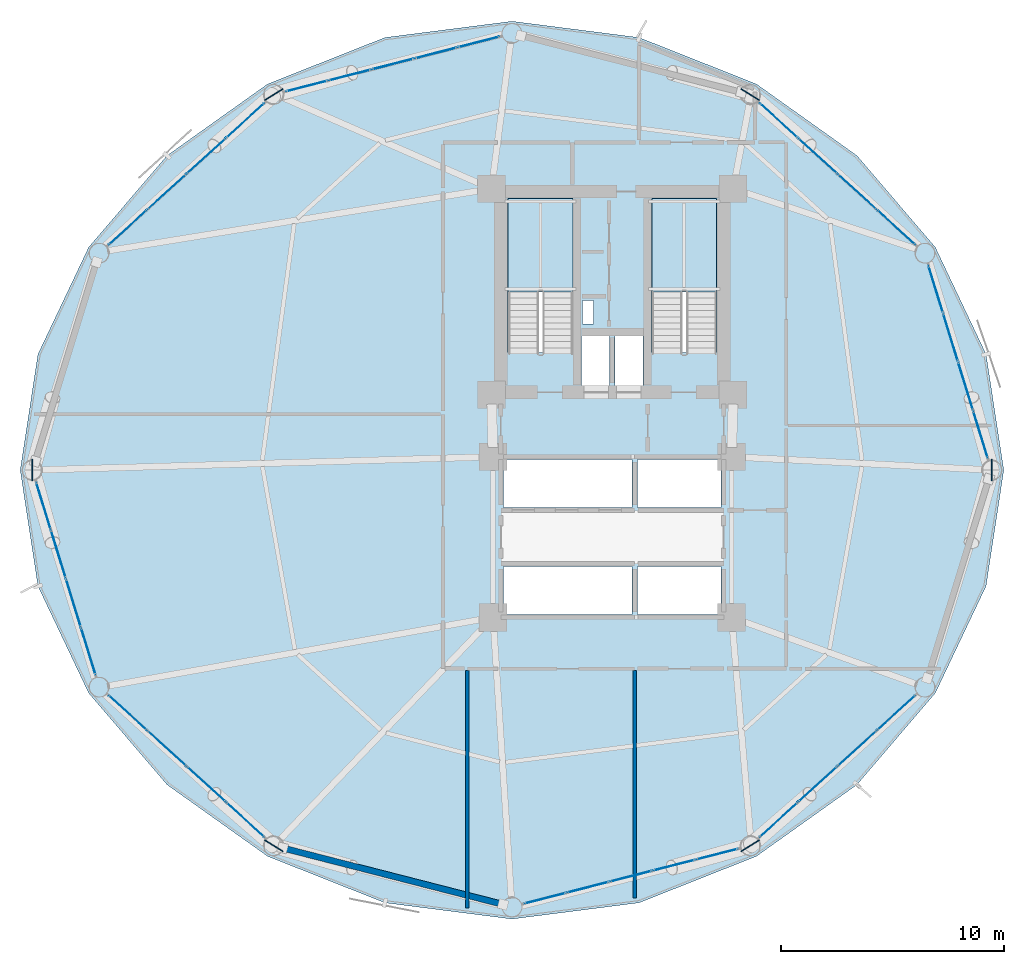
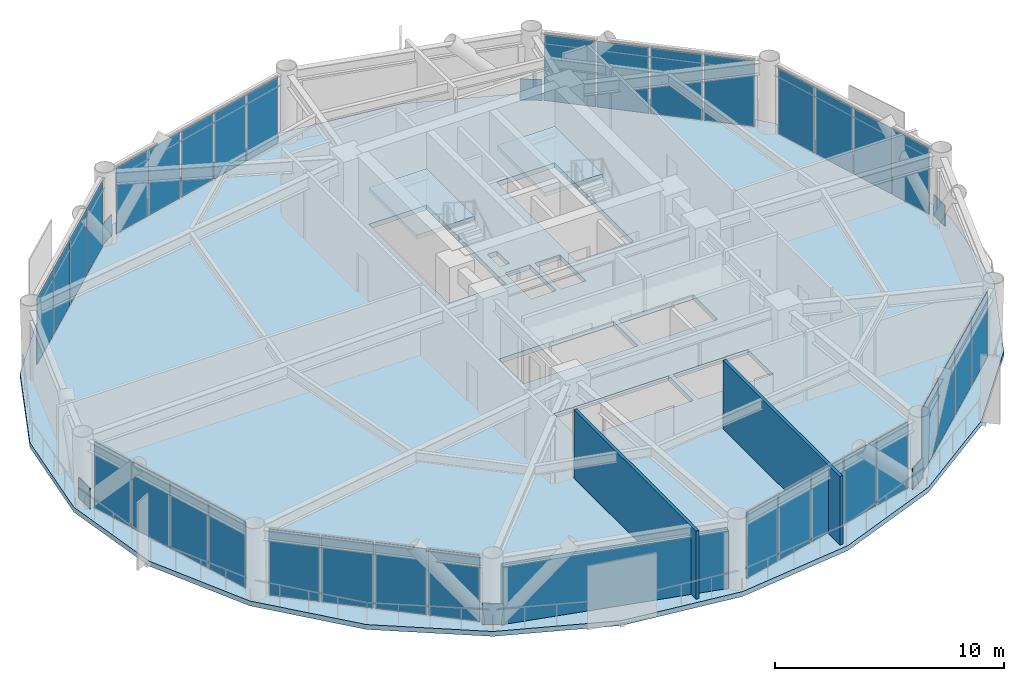
# One storey, part 19 of 25: 40 plates, 3 slabs, 3 walls, 10 elements without a shape of their own.
"""IFC4 building model written with IfcOpenShell, lengths in metres."""

from ifc_helpers import new_model, si_unit, direction, frame, frame_2d, origin, origin_2d, place, context, subcontext, project, spatial, polyline, rectangle, outline, extrude, source, transform, mapped, material, layer, layer_set, type_object, type_shapes, element, aggregate, save


model = new_model("IFC4")

# Units and contexts
model_context = context("Model", 3, precision=1e-05, world=origin(), true_north=direction((0.0, 1.0)))
body_context = subcontext(model_context, "Body", "Model", "MODEL_VIEW")
ifc_project = project(units=[si_unit("LENGTHUNIT", "METRE"), si_unit("AREAUNIT", "SQUARE_METRE"), si_unit("VOLUMEUNIT", "CUBIC_METRE"), si_unit("PLANEANGLEUNIT", "RADIAN"), si_unit("MASSUNIT", "GRAM", prefix="KILO")], contexts=[model_context])

# Site, building, storey
site_placement = place(None, origin())
site = spatial("IfcSite", under=ifc_project, at=site_placement, CompositionType="ELEMENT")
building_placement = place(site_placement, origin())
building = spatial("IfcBuilding", under=site, at=building_placement, Name="Varnakorn Sky Granary", CompositionType="ELEMENT")
storey_placement = place(building_placement, frame((0.0, 0.0, 62.699951171875)))
storey = spatial("IfcBuildingStorey", under=building, at=storey_placement, Name="L15", CompositionType="ELEMENT", Elevation=62.699951171875)

# Plates
ifc_material_1 = material(Name="Steel S460M", Category="steel")
ifc_layer_1 = layer(ifc_material_1, 0.044921875, Name="Steel S460M")
ifc_layer_set_1 = layer_set([ifc_layer_1], Name="Steel S460M")
plate_type_1 = type_object("IfcPlateType", Name="PL-NODE-KN1", PredefinedType="SHEET", material=ifc_layer_set_1)
for number, where, z_axis, x_axis, name in (
    (1, (20.006103515625, 0.0, 0.0), (0.0, 0.0, 1.0), (0.0, 1.0, 0.0), "Diagrid Node Gusset Assembly KN1 L15-1"),
    (2, (9.185546875, 16.842529296875, 0.0), (0.0, 0.0, 1.0), (-0.844397676416, 0.535716869309, 0.0), "Diagrid Node Gusset Assembly KN1 L15-3"),
    (3, (-12.185546875, 16.842529296875, 0.0), (0.0, 0.0, 1.0), (-0.844397676416, -0.535716869309, 0.0), "Diagrid Node Gusset Assembly KN1 L15-5"),
    (4, (-23.006103515625, 0.0, 0.0), (0.0, 0.0, 1.0), (0.0, -1.0, 0.0), "Diagrid Node Gusset Assembly KN1 L15-7"),
    (5, (-12.185546875, -16.842529296875, 0.0), (0.0, 0.0, 1.0), (0.844397676416, -0.535716869309, 0.0), "Diagrid Node Gusset Assembly KN1 L15-9"),
    (6, (9.185546875, -16.842529296875, 0.0), (0.0, 0.0, 1.0), (0.844397676416, 0.535716869309, 0.0), "Diagrid Node Gusset Assembly KN1 L15-11"),
):
    element("IfcPlate", number, at=place(storey_placement, frame(where, z_axis=z_axis, x_axis=x_axis)), inside=storey, type_object=plate_type_1, Name=name, PredefinedType="SHEET", context=body_context, shape_type="SweptSolid", body=[
        extrude(rectangle(XDim=0.9599609375, YDim=0.044921875, at=origin_2d()), origin(), (0.0, 0.0, 1.0), 1.10009765625),
    ])

# Stair, slab
ifc_material_2 = material(Name="Concrete C40/50", Category="concrete")
stair_type = type_object("IfcStairType", Name="ST-MAIN-ASSEMBLY", PredefinedType="HALF_TURN_STAIR", material=ifc_material_2)
stair_1_placement = place(storey_placement, origin())
stair_1 = element("IfcStair", 7, at=stair_1_placement, inside=storey, type_object=stair_type, Name="L15 Protected Exit Stair ST-1", PredefinedType="HALF_TURN_STAIR")
ifc_layer_2 = layer(ifc_material_2, 0.199951171875, Name="Concrete C40/50")
ifc_layer_set_2 = layer_set([ifc_layer_2], Name="Concrete C40/50")
slab_type_1 = type_object("IfcSlabType", Name="ST-MAIN-LAND", PredefinedType="LANDING", material=ifc_layer_set_2)
slab_1_placement = place(storey_placement, frame((0.0, 0.0, 1.75)))
slab_1 = element("IfcSlab", 8, at=slab_1_placement, type_object=slab_type_1, Name="ST-1 landing 1", PredefinedType="LANDING", context=body_context, shape_type="SweptSolid", body=[
    extrude(outline(polyline([(1.239990234375, 8.0), (1.239990234375, 12.179931640625), (-1.669921875, 12.179931640625), (-1.669921875, 8.0), (1.239990234375, 8.0)])), origin(), (0.0, 0.0, 1.0), 0.199951171875),
])
aggregate(stair_1, [slab_1])

stair_2_placement = place(storey_placement, origin())
stair_2 = element("IfcStair", 9, at=stair_2_placement, inside=storey, type_object=stair_type, Name="L15 Protected Exit Stair ST-2", PredefinedType="HALF_TURN_STAIR")
slab_2_placement = place(storey_placement, frame((0.0, 0.0, 1.75)))
slab_2 = element("IfcSlab", 10, at=slab_2_placement, type_object=slab_type_1, Name="ST-2 landing 1", PredefinedType="LANDING", context=body_context, shape_type="SweptSolid", body=[
    extrude(outline(polyline([(7.679931640625, 8.0), (7.679931640625, 12.179931640625), (4.77001953125, 12.179931640625), (4.77001953125, 8.0), (7.679931640625, 8.0)])), origin(), (0.0, 0.0, 1.0), 0.199951171875),
])
aggregate(stair_2, [slab_2])

# Slab
ifc_material_3 = material(Name="Concrete C50/60", Category="concrete")
ifc_layer_3 = layer(ifc_material_3, 0.260009765625, Name="Concrete C50/60")
ifc_layer_set_3 = layer_set([ifc_layer_3], Name="Concrete C50/60")
slab_type_2 = type_object("IfcSlabType", Name="ST-SL-TWR-260", PredefinedType="FLOOR", material=ifc_layer_set_3)
slab_3_placement = place(storey_placement, frame((0.0, 0.0, -0.260009765625)))
element("IfcSlab", 11, at=slab_3_placement, inside=storey, type_object=slab_type_2, Name="Level L15 Structural Floor Slab", PredefinedType="FLOOR", context=body_context, shape_type="SweptSolid", body=[
    extrude(outline(polyline([(20.555908203125, 0.0), (19.760986328125, 5.19921875), (17.484130859375, 9.9990234375), (13.96875, 14.10888671875), (9.46044921875, 17.31884765625), (4.197021484375, 19.403564453125), (-1.5, 20.133056640625), (-7.197021484375, 19.403564453125), (-12.46044921875, 17.31884765625), (-16.96875, 14.10888671875), (-20.484130859375, 9.9990234375), (-22.760986328125, 5.19921875), (-23.555908203125, 0.0), (-22.760986328125, -5.19921875), (-20.484130859375, -9.9990234375), (-16.96875, -14.10888671875), (-12.46044921875, -17.31884765625), (-7.197021484375, -19.403564453125), (-1.5, -20.133056640625), (4.197021484375, -19.403564453125), (9.46044921875, -17.31884765625), (13.96875, -14.10888671875), (17.484130859375, -9.9990234375), (19.760986328125, -5.19921875), (20.555908203125, 0.0)]), holes=[polyline([(1.239990234375, 5.27490234375), (1.239990234375, 12.179931640625), (-1.669921875, 12.179931640625), (-1.669921875, 5.27490234375), (1.239990234375, 5.27490234375)]), polyline([(7.679931640625, 5.27490234375), (7.679931640625, 12.179931640625), (4.77001953125, 12.179931640625), (4.77001953125, 5.27490234375), (7.679931640625, 5.27490234375)]), polyline([(1.659912109375, 6.550048828125), (2.14990234375, 6.550048828125), (2.14990234375, 7.6201171875), (1.659912109375, 7.6201171875), (1.659912109375, 6.550048828125)]), polyline([(1.6201171875, 3.739990234375), (2.8798828125, 3.739990234375), (2.8798828125, 6.010009765625), (1.6201171875, 6.010009765625), (1.6201171875, 3.739990234375)]), polyline([(3.1201171875, 3.739990234375), (4.3798828125, 3.739990234375), (4.3798828125, 6.010009765625), (3.1201171875, 6.010009765625), (3.1201171875, 3.739990234375)]), polyline([(-1.8798828125, -1.679931640625), (3.8798828125, -1.679931640625), (3.8798828125, 0.47998046875), (-1.8798828125, 0.47998046875), (-1.8798828125, -1.679931640625)]), polyline([(4.1201171875, -1.679931640625), (7.8798828125, -1.679931640625), (7.8798828125, 0.47998046875), (4.1201171875, 0.47998046875), (4.1201171875, -1.679931640625)]), polyline([(-1.8798828125, -6.47998046875), (3.8798828125, -6.47998046875), (3.8798828125, -4.320068359375), (-1.8798828125, -4.320068359375), (-1.8798828125, -6.47998046875)]), polyline([(4.1201171875, -6.47998046875), (7.8798828125, -6.47998046875), (7.8798828125, -4.320068359375), (4.1201171875, -4.320068359375), (4.1201171875, -6.47998046875)])]), origin(), (0.0, 0.0, 1.0), 0.260009765625),
])

# Curtain wall, plates
ifc_material_4 = material(Name="Anodised Bronze Aluminium Alloy 6063-T6", Category="aluminium")
ifc_layer_4 = layer(ifc_material_4, 0.18994140625, Name="Anodised Bronze Aluminium Alloy 6063-T6")
ifc_layer_set_4 = layer_set([ifc_layer_4], Name="Anodised Bronze Aluminium Alloy 6063-T6")
curtain_wall_type = type_object("IfcCurtainWallType", Name="CW-FRM-1", PredefinedType="USERDEFINED", material=ifc_layer_set_4)
curtain_wall_1_placement = place(storey_placement, origin())
curtain_wall_1 = element("IfcCurtainWall", 12, at=curtain_wall_1_placement, inside=storey, type_object=curtain_wall_type, Name="Unitised Curtain Wall CW3 CW-L15-B01", ObjectType="CURTAIN WALL", PredefinedType="USERDEFINED")
ifc_material_5 = material(Name="Low-E Tinted Laminated Glass", Category="glass")
ifc_layer_5 = layer(ifc_material_5, 0.028076171875, Name="Low-E Tinted Laminated Glass")
ifc_layer_set_5 = layer_set([ifc_layer_5], Name="Low-E Tinted Laminated Glass")
plate_type_2 = type_object("IfcPlateType", Name="CW-FRM-1-PNL", PredefinedType="CURTAIN_PANEL")
shared_shape_1 = source(origin(), body_context, "Body", "SweptSolid", [
    extrude(rectangle(XDim=2.180419921875, YDim=0.028076171875, at=origin_2d()), origin(), (0.0, 0.0, 1.0), 3.5),
])
plate_1_placement = place(storey_placement, frame((17.501953125, 8.121337890625, 0.070068359375), z_axis=(0.0, 0.0, 1.0), x_axis=(0.294645387928, -0.955606663525, 0.0)))
plate_1 = element("IfcPlate", 13, at=plate_1_placement, type_object=plate_type_2, material=ifc_layer_set_5, Name="CW3 vision glazing unit 1.1", PredefinedType="CURTAIN_PANEL", context=body_context, shape_type="MappedRepresentation", body=[
    mapped(shared_shape_1, transform((0.0, 0.0, 0.0), x_axis=(1.0, 0.0, 0.0), y_axis=(0.0, 1.0, 0.0), z_axis=(0.0, 0.0, 1.0), scale=1.0)),
])
ifc_material_6 = material(Name="Opaque Insulated Aluminium Shadow-Box Unit", Category="aluminium")
ifc_layer_6 = layer(ifc_material_6, 0.028076171875, Name="Opaque Insulated Aluminium Shadow-Box Unit")
ifc_layer_set_6 = layer_set([ifc_layer_6], Name="Opaque Insulated Aluminium Shadow-Box Unit")
plate_2_placement = place(storey_placement, frame((19.511962890625, 1.602783203125, 0.070068359375), z_axis=(0.0, 0.0, 1.0), x_axis=(0.294645387928, -0.955606663525, 0.0)))
plate_2 = element("IfcPlate", 14, at=plate_2_placement, type_object=plate_type_2, material=ifc_layer_set_6, Name="CW3 opaque insulated shadow-box unit 4.1", PredefinedType="CURTAIN_PANEL", context=body_context, shape_type="MappedRepresentation", body=[
    mapped(shared_shape_1, transform((0.0, 0.0, 0.0), x_axis=(1.0, 0.0, 0.0), y_axis=(0.0, 1.0, 0.0), z_axis=(0.0, 0.0, 1.0), scale=1.0)),
])

curtain_wall_2_placement = place(storey_placement, origin())
curtain_wall_2 = element("IfcCurtainWall", 15, at=curtain_wall_2_placement, inside=storey, type_object=curtain_wall_type, Name="Unitised Curtain Wall CW3 CW-L15-B07", ObjectType="CURTAIN WALL", PredefinedType="USERDEFINED")
plate_3_placement = place(storey_placement, frame((-20.501953125, -8.121337890625, 0.070068359375), z_axis=(0.0, 0.0, 1.0), x_axis=(-0.294645387928, 0.955606663525, 0.0)))
plate_3 = element("IfcPlate", 16, at=plate_3_placement, type_object=plate_type_2, material=ifc_layer_set_5, Name="CW3 vision glazing unit 1.1", PredefinedType="CURTAIN_PANEL", context=body_context, shape_type="MappedRepresentation", body=[
    mapped(shared_shape_1, transform((0.0, 0.0, 0.0), x_axis=(1.0, 0.0, 0.0), y_axis=(0.0, 1.0, 0.0), z_axis=(0.0, 0.0, 1.0), scale=1.0)),
])
plate_4_placement = place(storey_placement, frame((-22.511962890625, -1.602783203125, 0.070068359375), z_axis=(0.0, 0.0, 1.0), x_axis=(-0.294645387928, 0.955606663525, 0.0)))
plate_4 = element("IfcPlate", 17, at=plate_4_placement, type_object=plate_type_2, material=ifc_layer_set_6, Name="CW3 opaque insulated shadow-box unit 4.1", PredefinedType="CURTAIN_PANEL", context=body_context, shape_type="MappedRepresentation", body=[
    mapped(shared_shape_1, transform((0.0, 0.0, 0.0), x_axis=(1.0, 0.0, 0.0), y_axis=(0.0, 1.0, 0.0), z_axis=(0.0, 0.0, 1.0), scale=1.0)),
])

# Plate
shared_shape_2 = source(origin(), body_context, "Body", "SweptSolid", [
    extrude(rectangle(XDim=2.215576171875, YDim=0.028076171875, at=origin_2d()), origin(), (0.0, 0.0, 1.0), 3.5),
])
plate_5_placement = place(storey_placement, frame((18.170166015625, 5.9541015625, 0.070068359375), z_axis=(0.0, 0.0, 1.0), x_axis=(0.294645387928, -0.955606663525, 0.0)))
plate_5 = element("IfcPlate", 18, at=plate_5_placement, type_object=plate_type_2, material=ifc_layer_set_5, Name="CW3 vision glazing unit 2.1", PredefinedType="CURTAIN_PANEL", context=body_context, shape_type="MappedRepresentation", body=[
    mapped(shared_shape_2, transform((0.0, 0.0, 0.0), x_axis=(1.0, 0.0, 0.0), y_axis=(0.0, 1.0, 0.0), z_axis=(0.0, 0.0, 1.0), scale=1.0)),
])

plate_6_placement = place(storey_placement, frame((18.843505859375, 3.77001953125, 0.070068359375), z_axis=(0.0, 0.0, 1.0), x_axis=(0.294645387928, -0.955606663525, 0.0)))
plate_6 = element("IfcPlate", 19, at=plate_6_placement, type_object=plate_type_2, material=ifc_layer_set_6, Name="CW3 opaque insulated shadow-box unit 3.1", PredefinedType="CURTAIN_PANEL", context=body_context, shape_type="MappedRepresentation", body=[
    mapped(shared_shape_2, transform((0.0, 0.0, 0.0), x_axis=(1.0, 0.0, 0.0), y_axis=(0.0, 1.0, 0.0), z_axis=(0.0, 0.0, 1.0), scale=1.0)),
])

aggregate(curtain_wall_1, [plate_1, plate_5, plate_6, plate_2])

plate_7_placement = place(storey_placement, frame((-21.170166015625, -5.9541015625, 0.070068359375), z_axis=(0.0, 0.0, 1.0), x_axis=(-0.294645387928, 0.955606663525, 0.0)))
plate_7 = element("IfcPlate", 20, at=plate_7_placement, type_object=plate_type_2, material=ifc_layer_set_5, Name="CW3 vision glazing unit 2.1", PredefinedType="CURTAIN_PANEL", context=body_context, shape_type="MappedRepresentation", body=[
    mapped(shared_shape_2, transform((0.0, 0.0, 0.0), x_axis=(1.0, 0.0, 0.0), y_axis=(0.0, 1.0, 0.0), z_axis=(0.0, 0.0, 1.0), scale=1.0)),
])

plate_8_placement = place(storey_placement, frame((-21.843505859375, -3.77001953125, 0.070068359375), z_axis=(0.0, 0.0, 1.0), x_axis=(-0.294645387928, 0.955606663525, 0.0)))
plate_8 = element("IfcPlate", 21, at=plate_8_placement, type_object=plate_type_2, material=ifc_layer_set_6, Name="CW3 opaque insulated shadow-box unit 3.1", PredefinedType="CURTAIN_PANEL", context=body_context, shape_type="MappedRepresentation", body=[
    mapped(shared_shape_2, transform((0.0, 0.0, 0.0), x_axis=(1.0, 0.0, 0.0), y_axis=(0.0, 1.0, 0.0), z_axis=(0.0, 0.0, 1.0), scale=1.0)),
])

aggregate(curtain_wall_2, [plate_3, plate_7, plate_8, plate_4])

# Curtain wall, plates
curtain_wall_3_placement = place(storey_placement, origin())
curtain_wall_3 = element("IfcCurtainWall", 22, at=curtain_wall_3_placement, inside=storey, type_object=curtain_wall_type, Name="Unitised Curtain Wall CW3 CW-L15-B02", ObjectType="CURTAIN WALL", PredefinedType="USERDEFINED")
shared_shape_3 = source(origin(), body_context, "Body", "SweptSolid", [
    extrude(rectangle(XDim=2.280517578125, YDim=0.028076171875, at=origin_2d()), origin(), (0.0, 0.0, 1.0), 3.5),
])
plate_9_placement = place(storey_placement, frame((10.463134765625, 15.679931640625, 0.070068359375), z_axis=(0.0, 0.0, 1.0), x_axis=(0.739596189712, -0.673050871898, 0.0)))
plate_9 = element("IfcPlate", 23, at=plate_9_placement, type_object=plate_type_2, material=ifc_layer_set_6, Name="CW3 opaque insulated shadow-box unit 1.1", PredefinedType="CURTAIN_PANEL", context=body_context, shape_type="MappedRepresentation", body=[
    mapped(shared_shape_3, transform((0.0, 0.0, 0.0), x_axis=(1.0, 0.0, 0.0), y_axis=(0.0, 1.0, 0.0), z_axis=(0.0, 0.0, 1.0), scale=1.0)),
])
plate_10_placement = place(storey_placement, frame((15.730224609375, 10.886474609375, 0.070068359375), z_axis=(0.0, 0.0, 1.0), x_axis=(0.739596189712, -0.673050871898, 0.0)))
plate_10 = element("IfcPlate", 24, at=plate_10_placement, type_object=plate_type_2, material=ifc_layer_set_5, Name="CW3 vision glazing unit 4.1", PredefinedType="CURTAIN_PANEL", context=body_context, shape_type="MappedRepresentation", body=[
    mapped(shared_shape_3, transform((0.0, 0.0, 0.0), x_axis=(1.0, 0.0, 0.0), y_axis=(0.0, 1.0, 0.0), z_axis=(0.0, 0.0, 1.0), scale=1.0)),
])

curtain_wall_4_placement = place(storey_placement, origin())
curtain_wall_4 = element("IfcCurtainWall", 25, at=curtain_wall_4_placement, inside=storey, type_object=curtain_wall_type, Name="Unitised Curtain Wall CW3 CW-L15-B05", ObjectType="CURTAIN WALL", PredefinedType="USERDEFINED")
plate_11_placement = place(storey_placement, frame((-18.730224609375, 10.886474609375, 0.070068359375), z_axis=(0.0, 0.0, 1.0), x_axis=(0.739596189712, 0.673050871898, 0.0)))
plate_11 = element("IfcPlate", 26, at=plate_11_placement, type_object=plate_type_2, material=ifc_layer_set_5, Name="CW3 vision glazing unit 1.1", PredefinedType="CURTAIN_PANEL", context=body_context, shape_type="MappedRepresentation", body=[
    mapped(shared_shape_3, transform((0.0, 0.0, 0.0), x_axis=(1.0, 0.0, 0.0), y_axis=(0.0, 1.0, 0.0), z_axis=(0.0, 0.0, 1.0), scale=1.0)),
])
plate_12_placement = place(storey_placement, frame((-13.463134765625, 15.679931640625, 0.070068359375), z_axis=(0.0, 0.0, 1.0), x_axis=(0.739596189712, 0.673050871898, 0.0)))
plate_12 = element("IfcPlate", 27, at=plate_12_placement, type_object=plate_type_2, material=ifc_layer_set_6, Name="CW3 opaque insulated shadow-box unit 4.1", PredefinedType="CURTAIN_PANEL", context=body_context, shape_type="MappedRepresentation", body=[
    mapped(shared_shape_3, transform((0.0, 0.0, 0.0), x_axis=(1.0, 0.0, 0.0), y_axis=(0.0, 1.0, 0.0), z_axis=(0.0, 0.0, 1.0), scale=1.0)),
])

curtain_wall_5_placement = place(storey_placement, origin())
curtain_wall_5 = element("IfcCurtainWall", 28, at=curtain_wall_5_placement, inside=storey, type_object=curtain_wall_type, Name="Unitised Curtain Wall CW3 CW-L15-B08", ObjectType="CURTAIN WALL", PredefinedType="USERDEFINED")
plate_13_placement = place(storey_placement, frame((-13.463134765625, -15.679931640625, 0.070068359375), z_axis=(0.0, 0.0, 1.0), x_axis=(-0.739596189712, 0.673050871898, 0.0)))
plate_13 = element("IfcPlate", 29, at=plate_13_placement, type_object=plate_type_2, material=ifc_layer_set_6, Name="CW3 opaque insulated shadow-box unit 1.1", PredefinedType="CURTAIN_PANEL", context=body_context, shape_type="MappedRepresentation", body=[
    mapped(shared_shape_3, transform((0.0, 0.0, 0.0), x_axis=(1.0, 0.0, 0.0), y_axis=(0.0, 1.0, 0.0), z_axis=(0.0, 0.0, 1.0), scale=1.0)),
])
plate_14_placement = place(storey_placement, frame((-18.730224609375, -10.886474609375, 0.070068359375), z_axis=(0.0, 0.0, 1.0), x_axis=(-0.739596189712, 0.673050871898, 0.0)))
plate_14 = element("IfcPlate", 30, at=plate_14_placement, type_object=plate_type_2, material=ifc_layer_set_5, Name="CW3 vision glazing unit 4.1", PredefinedType="CURTAIN_PANEL", context=body_context, shape_type="MappedRepresentation", body=[
    mapped(shared_shape_3, transform((0.0, 0.0, 0.0), x_axis=(1.0, 0.0, 0.0), y_axis=(0.0, 1.0, 0.0), z_axis=(0.0, 0.0, 1.0), scale=1.0)),
])

curtain_wall_6_placement = place(storey_placement, origin())
curtain_wall_6 = element("IfcCurtainWall", 31, at=curtain_wall_6_placement, inside=storey, type_object=curtain_wall_type, Name="Unitised Curtain Wall CW3 CW-L15-B11", ObjectType="CURTAIN WALL", PredefinedType="USERDEFINED")
plate_15_placement = place(storey_placement, frame((15.730224609375, -10.886474609375, 0.070068359375), z_axis=(0.0, 0.0, 1.0), x_axis=(-0.739596189712, -0.673050871898, 0.0)))
plate_15 = element("IfcPlate", 32, at=plate_15_placement, type_object=plate_type_2, material=ifc_layer_set_5, Name="CW3 vision glazing unit 1.1", PredefinedType="CURTAIN_PANEL", context=body_context, shape_type="MappedRepresentation", body=[
    mapped(shared_shape_3, transform((0.0, 0.0, 0.0), x_axis=(1.0, 0.0, 0.0), y_axis=(0.0, 1.0, 0.0), z_axis=(0.0, 0.0, 1.0), scale=1.0)),
])
plate_16_placement = place(storey_placement, frame((10.463134765625, -15.679931640625, 0.070068359375), z_axis=(0.0, 0.0, 1.0), x_axis=(-0.739596189712, -0.673050871898, 0.0)))
plate_16 = element("IfcPlate", 33, at=plate_16_placement, type_object=plate_type_2, material=ifc_layer_set_6, Name="CW3 opaque insulated shadow-box unit 4.1", PredefinedType="CURTAIN_PANEL", context=body_context, shape_type="MappedRepresentation", body=[
    mapped(shared_shape_3, transform((0.0, 0.0, 0.0), x_axis=(1.0, 0.0, 0.0), y_axis=(0.0, 1.0, 0.0), z_axis=(0.0, 0.0, 1.0), scale=1.0)),
])

# Plate
shared_shape_4 = source(origin(), body_context, "Body", "SweptSolid", [
    extrude(rectangle(XDim=2.315673828125, YDim=0.028076171875, at=origin_2d()), origin(), (0.0, 0.0, 1.0), 3.5),
])
plate_17_placement = place(storey_placement, frame((12.21435546875, 14.086181640625, 0.070068359375), z_axis=(0.0, 0.0, 1.0), x_axis=(0.739596189712, -0.673050871898, 0.0)))
plate_17 = element("IfcPlate", 34, at=plate_17_placement, type_object=plate_type_2, material=ifc_layer_set_6, Name="CW3 opaque insulated shadow-box unit 2.1", PredefinedType="CURTAIN_PANEL", context=body_context, shape_type="MappedRepresentation", body=[
    mapped(shared_shape_4, transform((0.0, 0.0, 0.0), x_axis=(1.0, 0.0, 0.0), y_axis=(0.0, 1.0, 0.0), z_axis=(0.0, 0.0, 1.0), scale=1.0)),
])

plate_18_placement = place(storey_placement, frame((13.978759765625, 12.48046875, 0.070068359375), z_axis=(0.0, 0.0, 1.0), x_axis=(0.739596189712, -0.673050871898, 0.0)))
plate_18 = element("IfcPlate", 35, at=plate_18_placement, type_object=plate_type_2, material=ifc_layer_set_5, Name="CW3 vision glazing unit 3.1", PredefinedType="CURTAIN_PANEL", context=body_context, shape_type="MappedRepresentation", body=[
    mapped(shared_shape_4, transform((0.0, 0.0, 0.0), x_axis=(1.0, 0.0, 0.0), y_axis=(0.0, 1.0, 0.0), z_axis=(0.0, 0.0, 1.0), scale=1.0)),
])

aggregate(curtain_wall_3, [plate_9, plate_17, plate_18, plate_10])

plate_19_placement = place(storey_placement, frame((-16.978759765625, 12.48046875, 0.070068359375), z_axis=(0.0, 0.0, 1.0), x_axis=(0.739596189712, 0.673050871898, 0.0)))
plate_19 = element("IfcPlate", 36, at=plate_19_placement, type_object=plate_type_2, material=ifc_layer_set_5, Name="CW3 vision glazing unit 2.1", PredefinedType="CURTAIN_PANEL", context=body_context, shape_type="MappedRepresentation", body=[
    mapped(shared_shape_4, transform((0.0, 0.0, 0.0), x_axis=(1.0, 0.0, 0.0), y_axis=(0.0, 1.0, 0.0), z_axis=(0.0, 0.0, 1.0), scale=1.0)),
])

plate_20_placement = place(storey_placement, frame((-15.21435546875, 14.086181640625, 0.070068359375), z_axis=(0.0, 0.0, 1.0), x_axis=(0.739596189712, 0.673050871898, 0.0)))
plate_20 = element("IfcPlate", 37, at=plate_20_placement, type_object=plate_type_2, material=ifc_layer_set_6, Name="CW3 opaque insulated shadow-box unit 3.1", PredefinedType="CURTAIN_PANEL", context=body_context, shape_type="MappedRepresentation", body=[
    mapped(shared_shape_4, transform((0.0, 0.0, 0.0), x_axis=(1.0, 0.0, 0.0), y_axis=(0.0, 1.0, 0.0), z_axis=(0.0, 0.0, 1.0), scale=1.0)),
])

aggregate(curtain_wall_4, [plate_11, plate_19, plate_20, plate_12])

plate_21_placement = place(storey_placement, frame((-15.21435546875, -14.086181640625, 0.070068359375), z_axis=(0.0, 0.0, 1.0), x_axis=(-0.739596189712, 0.673050871898, 0.0)))
plate_21 = element("IfcPlate", 38, at=plate_21_placement, type_object=plate_type_2, material=ifc_layer_set_6, Name="CW3 opaque insulated shadow-box unit 2.1", PredefinedType="CURTAIN_PANEL", context=body_context, shape_type="MappedRepresentation", body=[
    mapped(shared_shape_4, transform((0.0, 0.0, 0.0), x_axis=(1.0, 0.0, 0.0), y_axis=(0.0, 1.0, 0.0), z_axis=(0.0, 0.0, 1.0), scale=1.0)),
])

plate_22_placement = place(storey_placement, frame((-16.978759765625, -12.48046875, 0.070068359375), z_axis=(0.0, 0.0, 1.0), x_axis=(-0.739596189712, 0.673050871898, 0.0)))
plate_22 = element("IfcPlate", 39, at=plate_22_placement, type_object=plate_type_2, material=ifc_layer_set_5, Name="CW3 vision glazing unit 3.1", PredefinedType="CURTAIN_PANEL", context=body_context, shape_type="MappedRepresentation", body=[
    mapped(shared_shape_4, transform((0.0, 0.0, 0.0), x_axis=(1.0, 0.0, 0.0), y_axis=(0.0, 1.0, 0.0), z_axis=(0.0, 0.0, 1.0), scale=1.0)),
])

aggregate(curtain_wall_5, [plate_13, plate_21, plate_22, plate_14])

plate_23_placement = place(storey_placement, frame((13.978759765625, -12.48046875, 0.070068359375), z_axis=(0.0, 0.0, 1.0), x_axis=(-0.739596189712, -0.673050871898, 0.0)))
plate_23 = element("IfcPlate", 40, at=plate_23_placement, type_object=plate_type_2, material=ifc_layer_set_5, Name="CW3 vision glazing unit 2.1", PredefinedType="CURTAIN_PANEL", context=body_context, shape_type="MappedRepresentation", body=[
    mapped(shared_shape_4, transform((0.0, 0.0, 0.0), x_axis=(1.0, 0.0, 0.0), y_axis=(0.0, 1.0, 0.0), z_axis=(0.0, 0.0, 1.0), scale=1.0)),
])

plate_24_placement = place(storey_placement, frame((12.21435546875, -14.086181640625, 0.070068359375), z_axis=(0.0, 0.0, 1.0), x_axis=(-0.739596189712, -0.673050871898, 0.0)))
plate_24 = element("IfcPlate", 41, at=plate_24_placement, type_object=plate_type_2, material=ifc_layer_set_6, Name="CW3 opaque insulated shadow-box unit 3.1", PredefinedType="CURTAIN_PANEL", context=body_context, shape_type="MappedRepresentation", body=[
    mapped(shared_shape_4, transform((0.0, 0.0, 0.0), x_axis=(1.0, 0.0, 0.0), y_axis=(0.0, 1.0, 0.0), z_axis=(0.0, 0.0, 1.0), scale=1.0)),
])

aggregate(curtain_wall_6, [plate_15, plate_23, plate_24, plate_16])

# Curtain wall, plates
curtain_wall_7_placement = place(storey_placement, origin())
curtain_wall_7 = element("IfcCurtainWall", 42, at=curtain_wall_7_placement, inside=storey, type_object=curtain_wall_type, Name="Unitised Curtain Wall CW3 CW-L15-B04", ObjectType="CURTAIN WALL", PredefinedType="USERDEFINED")
shared_shape_5 = source(origin(), body_context, "Body", "SweptSolid", [
    extrude(rectangle(XDim=1.89453125, YDim=0.028076171875, at=origin_2d()), origin(), (0.0, 0.0, 1.0), 3.5),
])
plate_25_placement = place(storey_placement, frame((-10.699462890625, 17.2236328125, 0.070068359375), z_axis=(0.0, 0.0, 1.0), x_axis=(0.968648252317, 0.248436235849, 0.0)))
plate_25 = element("IfcPlate", 43, at=plate_25_placement, type_object=plate_type_2, material=ifc_layer_set_6, Name="CW3 opaque insulated shadow-box unit 1.1", PredefinedType="CURTAIN_PANEL", context=body_context, shape_type="MappedRepresentation", body=[
    mapped(shared_shape_5, transform((0.0, 0.0, 0.0), x_axis=(1.0, 0.0, 0.0), y_axis=(0.0, 1.0, 0.0), z_axis=(0.0, 0.0, 1.0), scale=1.0)),
])
plate_26_placement = place(storey_placement, frame((-2.986083984375, 19.201904296875, 0.070068359375), z_axis=(0.0, 0.0, 1.0), x_axis=(0.968648252317, 0.248436235849, 0.0)))
plate_26 = element("IfcPlate", 44, at=plate_26_placement, type_object=plate_type_2, material=ifc_layer_set_5, Name="CW3 vision glazing unit 5.1", PredefinedType="CURTAIN_PANEL", context=body_context, shape_type="MappedRepresentation", body=[
    mapped(shared_shape_5, transform((0.0, 0.0, 0.0), x_axis=(1.0, 0.0, 0.0), y_axis=(0.0, 1.0, 0.0), z_axis=(0.0, 0.0, 1.0), scale=1.0)),
])

curtain_wall_8_placement = place(storey_placement, origin())
curtain_wall_8 = element("IfcCurtainWall", 45, at=curtain_wall_8_placement, inside=storey, type_object=curtain_wall_type, Name="Unitised Curtain Wall CW3 CW-L15-B10", ObjectType="CURTAIN WALL", PredefinedType="USERDEFINED")
plate_27_placement = place(storey_placement, frame((7.699462890625, -17.2236328125, 0.070068359375), z_axis=(0.0, 0.0, 1.0), x_axis=(-0.968648252317, -0.248436235849, 0.0)))
plate_27 = element("IfcPlate", 46, at=plate_27_placement, type_object=plate_type_2, material=ifc_layer_set_6, Name="CW3 opaque insulated shadow-box unit 1.1", PredefinedType="CURTAIN_PANEL", context=body_context, shape_type="MappedRepresentation", body=[
    mapped(shared_shape_5, transform((0.0, 0.0, 0.0), x_axis=(1.0, 0.0, 0.0), y_axis=(0.0, 1.0, 0.0), z_axis=(0.0, 0.0, 1.0), scale=1.0)),
])
plate_28_placement = place(storey_placement, frame((-0.013916015625, -19.201904296875, 0.070068359375), z_axis=(0.0, 0.0, 1.0), x_axis=(-0.968648252317, -0.248436235849, 0.0)))
plate_28 = element("IfcPlate", 47, at=plate_28_placement, type_object=plate_type_2, material=ifc_layer_set_5, Name="CW3 vision glazing unit 5.1", PredefinedType="CURTAIN_PANEL", context=body_context, shape_type="MappedRepresentation", body=[
    mapped(shared_shape_5, transform((0.0, 0.0, 0.0), x_axis=(1.0, 0.0, 0.0), y_axis=(0.0, 1.0, 0.0), z_axis=(0.0, 0.0, 1.0), scale=1.0)),
])

# Plate
shared_shape_6 = source(origin(), body_context, "Body", "SweptSolid", [
    extrude(rectangle(XDim=1.929443359375, YDim=0.028076171875, at=origin_2d()), origin(), (0.0, 0.0, 1.0), 3.5),
])
type_shapes(plate_type_2, [shared_shape_1, shared_shape_2, shared_shape_3, shared_shape_4, shared_shape_5, shared_shape_6])
plate_29_placement = place(storey_placement, frame((-8.779541015625, 17.716064453125, 0.070068359375), z_axis=(0.0, 0.0, 1.0), x_axis=(0.968648252317, 0.248436235849, 0.0)))
plate_29 = element("IfcPlate", 48, at=plate_29_placement, type_object=plate_type_2, material=ifc_layer_set_6, Name="CW3 opaque insulated shadow-box unit 2.1", PredefinedType="CURTAIN_PANEL", context=body_context, shape_type="MappedRepresentation", body=[
    mapped(shared_shape_6, transform((0.0, 0.0, 0.0), x_axis=(1.0, 0.0, 0.0), y_axis=(0.0, 1.0, 0.0), z_axis=(0.0, 0.0, 1.0), scale=1.0)),
])

plate_30_placement = place(storey_placement, frame((-6.8427734375, 18.212646484375, 0.070068359375), z_axis=(0.0, 0.0, 1.0), x_axis=(0.968648252317, 0.248436235849, 0.0)))
plate_30 = element("IfcPlate", 49, at=plate_30_placement, type_object=plate_type_2, material=ifc_layer_set_5, Name="CW3 vision glazing unit 3.1", PredefinedType="CURTAIN_PANEL", context=body_context, shape_type="MappedRepresentation", body=[
    mapped(shared_shape_6, transform((0.0, 0.0, 0.0), x_axis=(1.0, 0.0, 0.0), y_axis=(0.0, 1.0, 0.0), z_axis=(0.0, 0.0, 1.0), scale=1.0)),
])

plate_31_placement = place(storey_placement, frame((-4.906005859375, 18.70947265625, 0.070068359375), z_axis=(0.0, 0.0, 1.0), x_axis=(0.968648252317, 0.248436235849, 0.0)))
plate_31 = element("IfcPlate", 50, at=plate_31_placement, type_object=plate_type_2, material=ifc_layer_set_5, Name="CW3 vision glazing unit 4.1", PredefinedType="CURTAIN_PANEL", context=body_context, shape_type="MappedRepresentation", body=[
    mapped(shared_shape_6, transform((0.0, 0.0, 0.0), x_axis=(1.0, 0.0, 0.0), y_axis=(0.0, 1.0, 0.0), z_axis=(0.0, 0.0, 1.0), scale=1.0)),
])

aggregate(curtain_wall_7, [plate_25, plate_29, plate_30, plate_31, plate_26])

plate_32_placement = place(storey_placement, frame((5.779541015625, -17.716064453125, 0.070068359375), z_axis=(0.0, 0.0, 1.0), x_axis=(-0.968648252317, -0.248436235849, 0.0)))
plate_32 = element("IfcPlate", 51, at=plate_32_placement, type_object=plate_type_2, material=ifc_layer_set_6, Name="CW3 opaque insulated shadow-box unit 2.1", PredefinedType="CURTAIN_PANEL", context=body_context, shape_type="MappedRepresentation", body=[
    mapped(shared_shape_6, transform((0.0, 0.0, 0.0), x_axis=(1.0, 0.0, 0.0), y_axis=(0.0, 1.0, 0.0), z_axis=(0.0, 0.0, 1.0), scale=1.0)),
])

plate_33_placement = place(storey_placement, frame((3.8427734375, -18.212646484375, 0.070068359375), z_axis=(0.0, 0.0, 1.0), x_axis=(-0.968648252317, -0.248436235849, 0.0)))
plate_33 = element("IfcPlate", 52, at=plate_33_placement, type_object=plate_type_2, material=ifc_layer_set_5, Name="CW3 vision glazing unit 3.1", PredefinedType="CURTAIN_PANEL", context=body_context, shape_type="MappedRepresentation", body=[
    mapped(shared_shape_6, transform((0.0, 0.0, 0.0), x_axis=(1.0, 0.0, 0.0), y_axis=(0.0, 1.0, 0.0), z_axis=(0.0, 0.0, 1.0), scale=1.0)),
])

plate_34_placement = place(storey_placement, frame((1.906005859375, -18.70947265625, 0.070068359375), z_axis=(0.0, 0.0, 1.0), x_axis=(-0.968648252317, -0.248436235849, 0.0)))
plate_34 = element("IfcPlate", 53, at=plate_34_placement, type_object=plate_type_2, material=ifc_layer_set_5, Name="CW3 vision glazing unit 4.1", PredefinedType="CURTAIN_PANEL", context=body_context, shape_type="MappedRepresentation", body=[
    mapped(shared_shape_6, transform((0.0, 0.0, 0.0), x_axis=(1.0, 0.0, 0.0), y_axis=(0.0, 1.0, 0.0), z_axis=(0.0, 0.0, 1.0), scale=1.0)),
])

aggregate(curtain_wall_8, [plate_27, plate_32, plate_33, plate_34, plate_28])

# Walls
ifc_material_7 = material(Name="Precast concrete C40/50", Category="concrete")
ifc_layer_7 = layer(ifc_material_7, 0.280029296875, Name="Precast concrete C40/50")
ifc_layer_set_7 = layer_set([ifc_layer_7], Name="Precast concrete C40/50")
wall_type_1 = type_object("IfcWallType", Name="WT-EW-CRN-280", PredefinedType="SOLIDWALL", material=ifc_layer_set_7)
wall_1_placement = place(storey_placement, frame((-1.899169921875, -19.480712890625, 0.0), z_axis=(0.0, 0.0, 1.0), x_axis=(-0.968647190334, 0.248440376463, 0.0)))
element("IfcWall", 54, at=wall_1_placement, inside=storey, type_object=wall_type_1, Name="Agritech Insulated Precast Facade Wall L15-P09", PredefinedType="SOLIDWALL", context=body_context, shape_type="SweptSolid", body=[
    extrude(rectangle(XDim=10.207275390625, YDim=0.280029296875, at=frame_2d((5.103515625, 0.0))), origin(), (0.0, 0.0, 1.0), 3.06005859375),
])
ifc_material_8 = material(Name="Gypsum Plasterboard on Steel Stud", Category="steel")
ifc_layer_8 = layer(ifc_material_8, 0.14990234375, Name="Gypsum Plasterboard on Steel Stud")
ifc_layer_set_8 = layer_set([ifc_layer_8], Name="Gypsum Plasterboard on Steel Stud")
wall_type_2 = type_object("IfcWallType", Name="WT-PART-150", PredefinedType="PARTITIONING", material=ifc_layer_set_8)
wall_2_placement = place(storey_placement, frame((4.0, -8.985107421875, 0.0), z_axis=(0.0, 0.0, 1.0), x_axis=(0.0, -1.0, 0.0)))
element("IfcWall", 55, at=wall_2_placement, inside=storey, type_object=wall_type_2, Name="Interior Partition Wall L15-035", PredefinedType="PARTITIONING", context=body_context, shape_type="SweptSolid", body=[
    extrude(rectangle(XDim=10.203857421875, YDim=0.14990234375, at=frame_2d((5.10205078125, 0.0))), origin(), (0.0, 0.0, 1.0), 3.64013671875),
])
wall_3_placement = place(storey_placement, frame((-3.5, -19.636962890625, 0.0), z_axis=(0.0, 0.0, 1.0), x_axis=(0.0, 1.0, 0.0)))
element("IfcWall", 56, at=wall_3_placement, inside=storey, type_object=wall_type_2, Name="Interior Partition Wall L15-036", PredefinedType="PARTITIONING", context=body_context, shape_type="SweptSolid", body=[
    extrude(rectangle(XDim=10.65185546875, YDim=0.14990234375, at=frame_2d((5.325927734375, 0.0))), origin(), (0.0, 0.0, 1.0), 3.64013671875),
])

save(model, "model.ifc")
